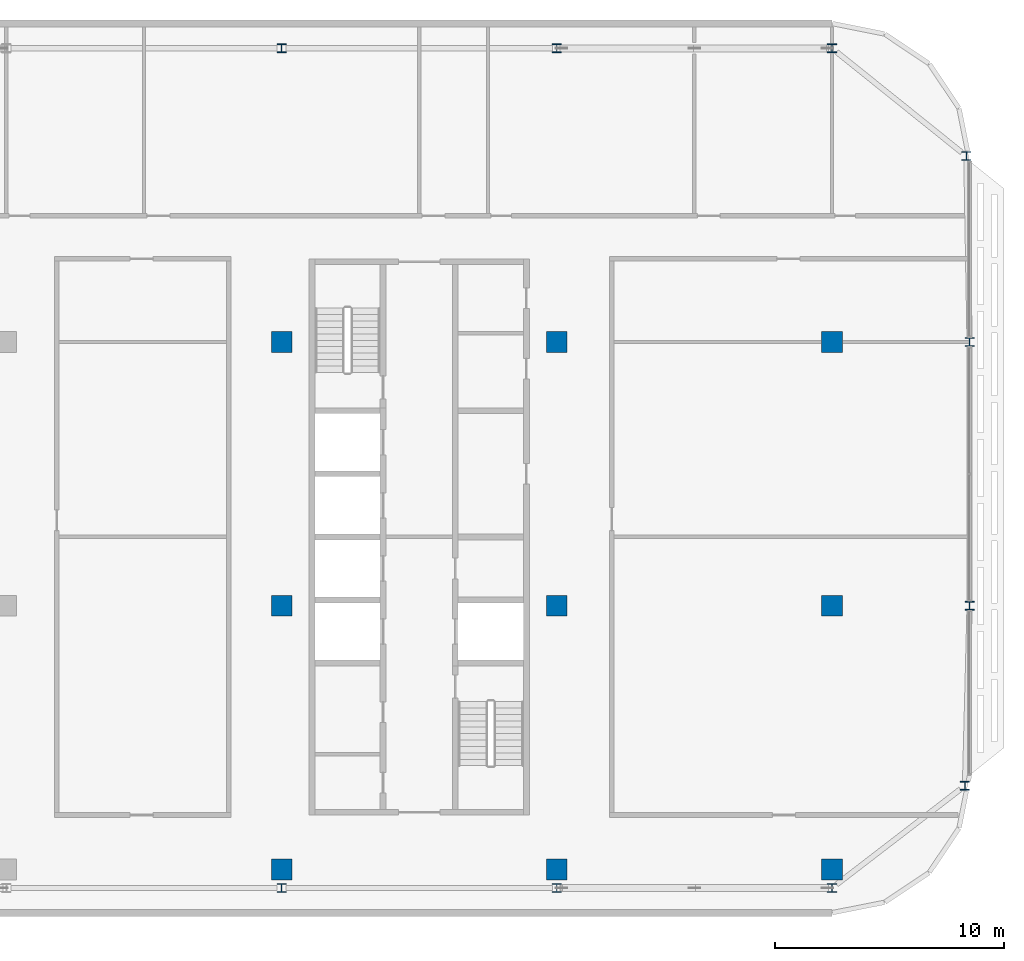
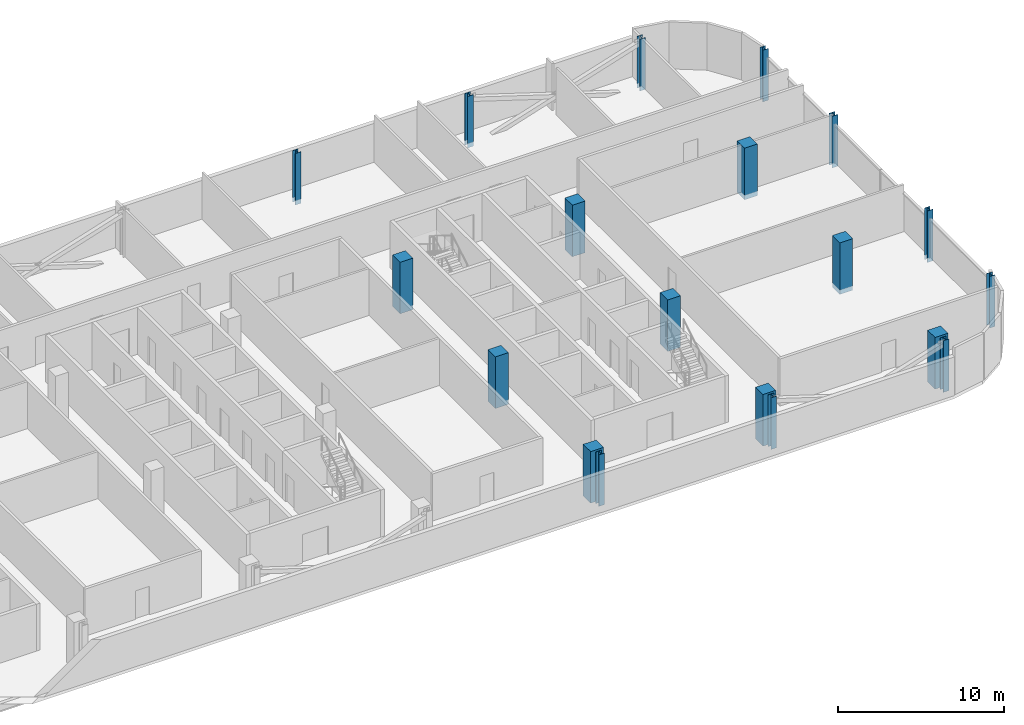
# One storey, part 4 of 28: 19 columns.
"""IFC4 building model written with IfcOpenShell, lengths in metres."""

from ifc_helpers import new_model, si_unit, direction, frame, origin, origin_2d, place, context, subcontext, project, spatial, rectangle, i_section, extrude, material, material_profile, profile_set, type_object, element, save


model = new_model("IFC4")

# Units and contexts
model_context = context("Model", 3, precision=1e-05, world=origin(), true_north=direction((0.0, 1.0)))
body_context = subcontext(model_context, "Body", "Model", "MODEL_VIEW")
ifc_project = project(units=[si_unit("LENGTHUNIT", "METRE"), si_unit("AREAUNIT", "SQUARE_METRE"), si_unit("VOLUMEUNIT", "CUBIC_METRE"), si_unit("PLANEANGLEUNIT", "RADIAN"), si_unit("MASSUNIT", "GRAM", prefix="KILO")], contexts=[model_context])

# Site, building, storey
site_placement = place(None, origin())
site = spatial("IfcSite", under=ifc_project, at=site_placement, CompositionType="ELEMENT")
building_placement = place(site_placement, origin())
building = spatial("IfcBuilding", under=site, at=building_placement, Name="Mahtab Terrace Research Tower", CompositionType="ELEMENT")
storey_placement = place(building_placement, frame((0.0, 0.0, 270.89990234375)))
storey = spatial("IfcBuildingStorey", under=building, at=storey_placement, Name="L66", CompositionType="ELEMENT", Elevation=270.89990234375)

# Columns
ifc_material_1 = material(Name="Concrete C70/85", Category="concrete")
ifc_material_profile_1 = material_profile(ifc_material_1, rectangle(XDim=0.89990234375, YDim=0.89990234375, at=origin_2d()), Name="RC column 900x900")
ifc_profile_set_1 = profile_set([ifc_material_profile_1], Name="Concrete C70/85")
column_type_1 = type_object("IfcColumnType", Name="RC column 900x900", PredefinedType="COLUMN", material=ifc_profile_set_1)
for number, where, z_axis, x_axis, name in (
    (1, (18.0, -11.5, -0.33984375), (0.0, 0.0, 1.0), (1.0, 0.0, 0.0), "Column RC-6A L66"),
    (2, (18.0, 0.0, -0.33984375), (0.0, 0.0, 1.0), (1.0, 0.0, 0.0), "Column RC-6B L66"),
    (3, (18.0, 11.5, -0.33984375), (0.0, 0.0, 1.0), (1.0, 0.0, 0.0), "Column RC-6C L66"),
    (4, (30.0, -11.5, -0.33984375), (0.0, 0.0, 1.0), (1.0, 0.0, 0.0), "Column RC-7A L66"),
    (5, (30.0, 0.0, -0.33984375), (0.0, 0.0, 1.0), (1.0, 0.0, 0.0), "Column RC-7B L66"),
    (6, (30.0, 11.5, -0.33984375), (0.0, 0.0, 1.0), (1.0, 0.0, 0.0), "Column RC-7C L66"),
    (7, (42.0, -11.5, -0.33984375), (0.0, 0.0, 1.0), (1.0, 0.0, 0.0), "Column RC-8A L66"),
    (8, (42.0, 0.0, -0.33984375), (0.0, 0.0, 1.0), (1.0, 0.0, 0.0), "Column RC-8B L66"),
    (9, (42.0, 11.5, -0.33984375), (0.0, 0.0, 1.0), (1.0, 0.0, 0.0), "Column RC-8C L66"),
):
    element("IfcColumn", number, at=place(storey_placement, frame(where, z_axis=z_axis, x_axis=x_axis)), inside=storey, type_object=column_type_1, Name=name, PredefinedType="COLUMN", context=body_context, shape_type="SweptSolid", body=[
        extrude(rectangle(XDim=0.89990234375, YDim=0.89990234375, at=origin_2d()), origin(), (0.0, 0.0, 1.0), 3.800048828125),
    ])
ifc_material_2 = material(Name="Steel ASTM A992 Gr 50", Category="steel")
ifc_material_profile_2 = material_profile(ifc_material_2, i_section(OverallWidth=0.393798828125, OverallDepth=0.3759765625, WebThickness=0.017333984375, FlangeThickness=0.027587890625, at=origin_2d()), Name="W14X145")
ifc_profile_set_2 = profile_set([ifc_material_profile_2], Name="Steel ASTM A992 Gr 50")
column_type_2 = type_object("IfcColumnType", Name="W14x145 column CS14145", PredefinedType="COLUMN", material=ifc_profile_set_2)
for number, where, z_axis, x_axis, name in (
    (10, (47.85693359375, 19.60498046875, -0.33984375), (0.0, 0.0, 1.0), (1.0, 0.0, 0.0), "Column SC-070 L66"),
    (11, (42.0, 24.306884765625, -0.33984375), (0.0, 0.0, 1.0), (1.0, 0.0, 0.0), "Column SC-071 L66"),
    (12, (30.0, 24.306884765625, -0.33984375), (0.0, 0.0, 1.0), (1.0, 0.0, 0.0), "Column SC-072 L66"),
    (13, (18.0, 24.306884765625, -0.33984375), (0.0, 0.0, 1.0), (1.0, 0.0, 0.0), "Column SC-073 L66"),
    (14, (18.0, -12.306884765625, -0.33984375), (0.0, 0.0, 1.0), (1.0, 0.0, 0.0), "Column SC-086 L66"),
    (15, (30.0, -12.306884765625, -0.33984375), (0.0, 0.0, 1.0), (1.0, 0.0, 0.0), "Column SC-087 L66"),
    (16, (42.0, -12.306884765625, -0.33984375), (0.0, 0.0, 1.0), (1.0, 0.0, 0.0), "Column SC-088 L66"),
    (17, (47.798095703125, -7.847900390625, -0.33984375), (0.0, 0.0, 1.0), (1.0, 0.0, 0.0), "Column SC-089 L66"),
    (18, (48.0, 0.0, -0.33984375), (0.0, 0.0, 1.0), (1.0, 0.0, 0.0), "Column SC-021 L66"),
    (19, (48.0, 11.5, -0.33984375), (0.0, 0.0, 1.0), (1.0, 0.0, 0.0), "Column SC-022 L66"),
):
    element("IfcColumn", number, at=place(storey_placement, frame(where, z_axis=z_axis, x_axis=x_axis)), inside=storey, type_object=column_type_2, Name=name, PredefinedType="COLUMN", context=body_context, shape_type="SweptSolid", body=[
        extrude(i_section(OverallWidth=0.393798828125, OverallDepth=0.3759765625, WebThickness=0.017333984375, FlangeThickness=0.027587890625, at=origin_2d()), origin(), (0.0, 0.0, 1.0), 3.800048828125),
    ])

save(model, "model.ifc")
